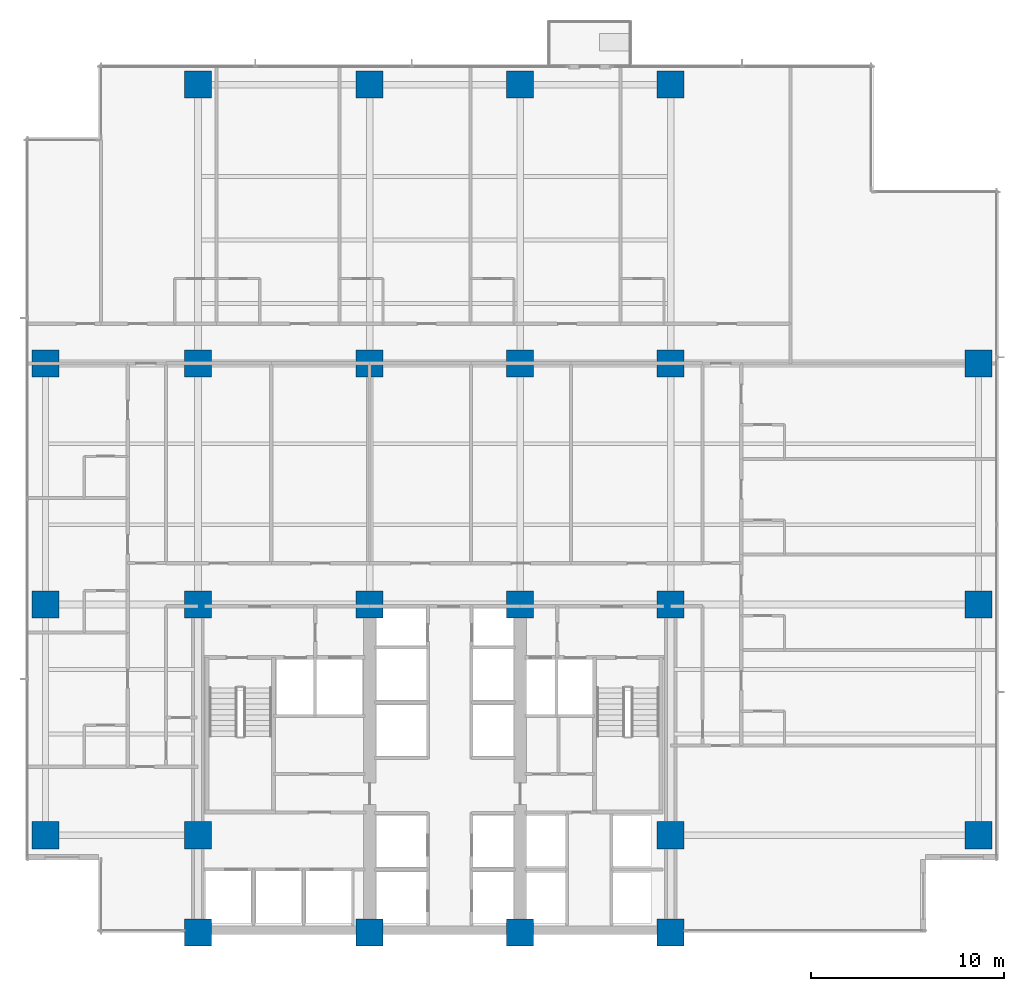
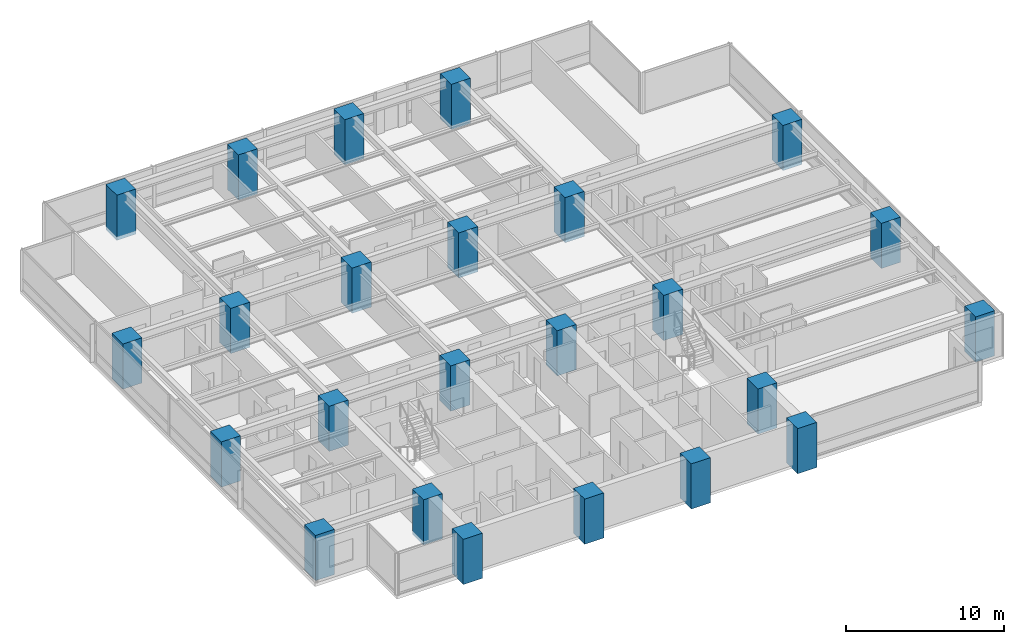
# One storey, part 1 of 17: 24 columns.
"""IFC4 building model written with IfcOpenShell, lengths in metres."""

from ifc_helpers import new_model, si_unit, direction, frame, origin, origin_2d, place, context, subcontext, project, spatial, rectangle, extrude, material, material_profile, profile_set, type_object, element, save


model = new_model("IFC4")

# Units and contexts
model_context = context("Model", 3, precision=1e-05, world=origin(), true_north=direction((0.0, 1.0)))
body_context = subcontext(model_context, "Body", "Model", "MODEL_VIEW")
ifc_project = project(units=[si_unit("LENGTHUNIT", "METRE"), si_unit("AREAUNIT", "SQUARE_METRE"), si_unit("VOLUMEUNIT", "CUBIC_METRE"), si_unit("PLANEANGLEUNIT", "RADIAN"), si_unit("MASSUNIT", "GRAM", prefix="KILO")], contexts=[model_context])

# Site, building, storey
site_placement = place(None, origin())
site = spatial("IfcSite", under=ifc_project, at=site_placement, CompositionType="ELEMENT")
building_placement = place(site_placement, origin())
building = spatial("IfcBuilding", under=site, at=building_placement, Name="Qalmaran Belvedere Hotel", CompositionType="ELEMENT")
storey_placement = place(building_placement, frame((0.0, 0.0, 40.39990234375)))
storey = spatial("IfcBuildingStorey", under=building, at=storey_placement, Name="L09", CompositionType="ELEMENT", Elevation=40.39990234375)

# Columns
ifc_material = material(Name="Concrete C60/75", Category="concrete")
ifc_material_profile = material_profile(ifc_material, rectangle(XDim=1.39990234375, YDim=1.39990234375, at=origin_2d()), Name="CC1400X1400")
ifc_profile_set = profile_set([ifc_material_profile], Name="Concrete C60/75")
column_type = type_object("IfcColumnType", Name="COL-Z1-CC1400", PredefinedType="COLUMN", material=ifc_profile_set)
for number, where, z_axis, x_axis, name in (
    (1, (20.300048828125, 3.5, -0.27978515625), (0.0, 0.0, 1.0), (1.0, 0.0, 0.0), "L09 Column C4B"),
    (2, (29.199951171875, 3.5, -0.27978515625), (0.0, 0.0, 1.0), (1.0, 0.0, 0.0), "L09 Column C5B"),
    (3, (37.0, 3.5, -0.27978515625), (0.0, 0.0, 1.0), (1.0, 0.0, 0.0), "L09 Column C6B"),
    (4, (44.800048828125, 3.5, -0.27978515625), (0.0, 0.0, 1.0), (1.0, 0.0, 0.0), "L09 Column C7B"),
    (5, (20.300048828125, 8.550048828125, -0.27978515625), (0.0, 0.0, 1.0), (1.0, 0.0, 0.0), "L09 Column C4C"),
    (6, (44.800048828125, 8.550048828125, -0.27978515625), (0.0, 0.0, 1.0), (1.0, 0.0, 0.0), "L09 Column C7C"),
    (7, (20.300048828125, 20.5, -0.27978515625), (0.0, 0.0, 1.0), (1.0, 0.0, 0.0), "L09 Column C4D"),
    (8, (29.199951171875, 20.5, -0.27978515625), (0.0, 0.0, 1.0), (1.0, 0.0, 0.0), "L09 Column C5D"),
    (9, (37.0, 20.5, -0.27978515625), (0.0, 0.0, 1.0), (1.0, 0.0, 0.0), "L09 Column C6D"),
    (10, (44.800048828125, 20.5, -0.27978515625), (0.0, 0.0, 1.0), (1.0, 0.0, 0.0), "L09 Column C7D"),
    (11, (20.300048828125, 33.0, -0.27978515625), (0.0, 0.0, 1.0), (1.0, 0.0, 0.0), "L09 Column C4F"),
    (12, (29.199951171875, 33.0, -0.27978515625), (0.0, 0.0, 1.0), (1.0, 0.0, 0.0), "L09 Column C5F"),
    (13, (37.0, 33.0, -0.27978515625), (0.0, 0.0, 1.0), (1.0, 0.0, 0.0), "L09 Column C6F"),
    (14, (44.800048828125, 33.0, -0.27978515625), (0.0, 0.0, 1.0), (1.0, 0.0, 0.0), "L09 Column C7F"),
    (15, (12.39990234375, 8.550048828125, -0.27978515625), (0.0, 0.0, 1.0), (1.0, 0.0, 0.0), "L09 Column CW1"),
    (16, (12.39990234375, 20.5, -0.27978515625), (0.0, 0.0, 1.0), (1.0, 0.0, 0.0), "L09 Column CW3"),
    (17, (12.39990234375, 33.0, -0.27978515625), (0.0, 0.0, 1.0), (1.0, 0.0, 0.0), "L09 Column CW4"),
    (18, (60.75, 8.550048828125, -0.27978515625), (0.0, 0.0, 1.0), (1.0, 0.0, 0.0), "L09 Column CE1"),
    (19, (60.75, 20.5, -0.27978515625), (0.0, 0.0, 1.0), (1.0, 0.0, 0.0), "L09 Column CE3"),
    (20, (60.75, 33.0, -0.27978515625), (0.0, 0.0, 1.0), (1.0, 0.0, 0.0), "L09 Column CE4"),
    (21, (20.300048828125, 47.449951171875, -0.27978515625), (0.0, 0.0, 1.0), (1.0, 0.0, 0.0), "L09 Column CN1"),
    (22, (29.199951171875, 47.449951171875, -0.27978515625), (0.0, 0.0, 1.0), (1.0, 0.0, 0.0), "L09 Column CN2"),
    (23, (37.0, 47.449951171875, -0.27978515625), (0.0, 0.0, 1.0), (1.0, 0.0, 0.0), "L09 Column CN3"),
    (24, (44.800048828125, 47.449951171875, -0.27978515625), (0.0, 0.0, 1.0), (1.0, 0.0, 0.0), "L09 Column CN4"),
):
    element("IfcColumn", number, at=place(storey_placement, frame(where, z_axis=z_axis, x_axis=x_axis)), inside=storey, type_object=column_type, Name=name, PredefinedType="COLUMN", context=body_context, shape_type="SweptSolid", body=[
        extrude(rectangle(XDim=1.39990234375, YDim=1.39990234375, at=origin_2d()), origin(), (0.0, 0.0, 1.0), 3.5),
    ])

save(model, "model.ifc")
